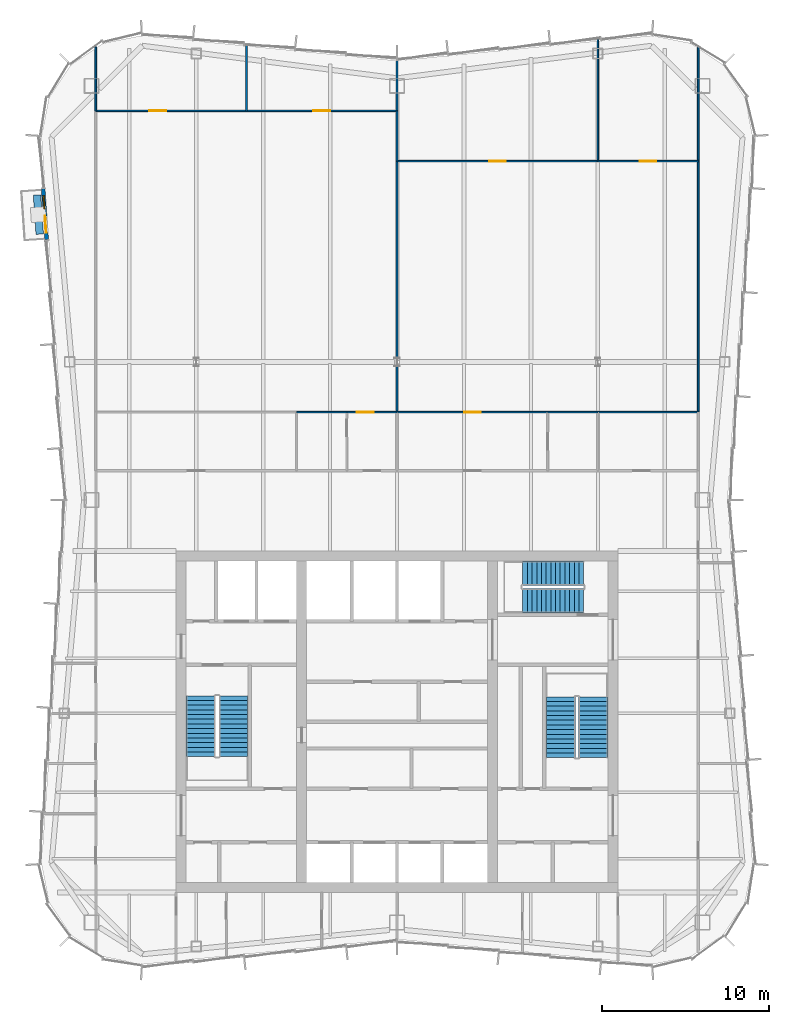
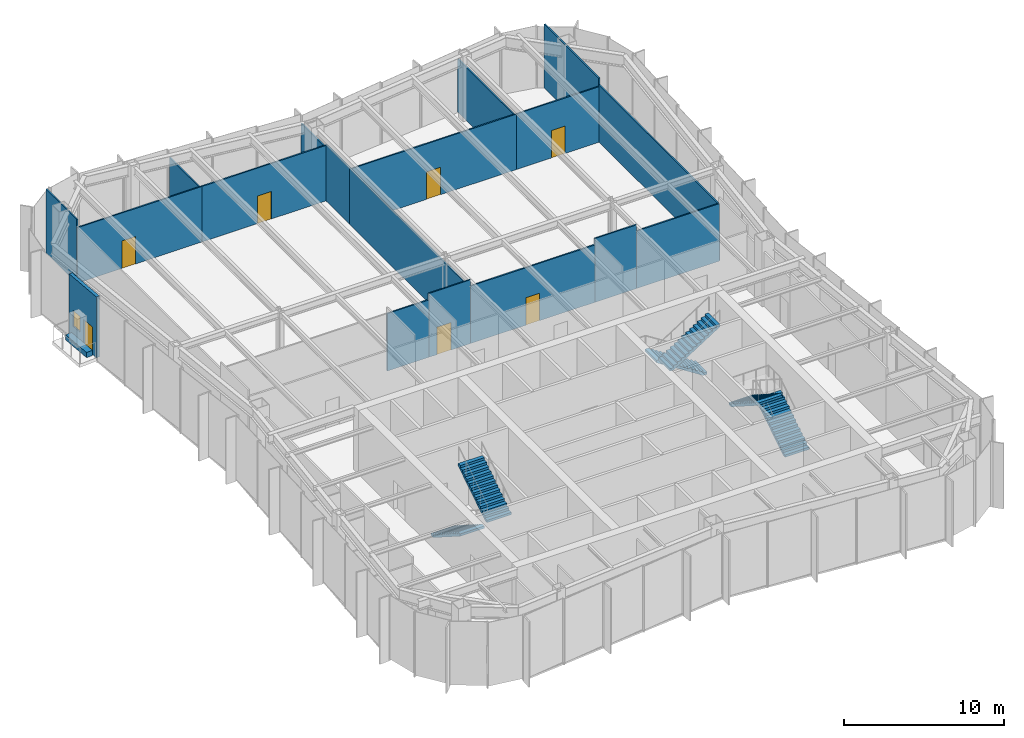
# One storey, part 12 of 14: 19 walls, 7 doors, 6 stair flights, 1 window, 8 openings, 3 elements without a shape of their own.
"""IFC4 building model written with IfcOpenShell, lengths in metres."""

from ifc_helpers import new_model, si_unit, direction, frame, frame_2d, origin, place, context, subcontext, project, spatial, polyline, rectangle, outline, extrude, material, layer, layer_set, type_object, element, fill, aggregate, save


model = new_model("IFC4")

# Units and contexts
model_context = context("Model", 3, precision=1e-05, world=origin(), true_north=direction((0.0, 1.0)))
body_context = subcontext(model_context, "Body", "Model", "MODEL_VIEW")
ifc_project = project(units=[si_unit("LENGTHUNIT", "METRE"), si_unit("AREAUNIT", "SQUARE_METRE"), si_unit("VOLUMEUNIT", "CUBIC_METRE"), si_unit("PLANEANGLEUNIT", "RADIAN"), si_unit("MASSUNIT", "GRAM", prefix="KILO")], contexts=[model_context])

# Site, building, storey
site_placement = place(None, origin())
site = spatial("IfcSite", under=ifc_project, at=site_placement, CompositionType="ELEMENT")
building_placement = place(site_placement, origin())
building = spatial("IfcBuilding", under=site, at=building_placement, Name="Verdant Reach Tower", CompositionType="ELEMENT")
storey_placement = place(building_placement, frame((0.0, 0.0, 289.0)))
storey = spatial("IfcBuildingStorey", under=building, at=storey_placement, Name="L66", CompositionType="ELEMENT", Elevation=289.0)

# Wall, openings, door, window
ifc_material_1 = material(Name="Insulated bronze aluminium panel wall", Category="aluminium")
ifc_layer_1 = layer(ifc_material_1, 0.219970703125)
ifc_layer_set_1 = layer_set([ifc_layer_1], Name="EN-INFILL WALL")
wall_type_1 = type_object("IfcWallType", Name="EN-INFILL WALL", PredefinedType="SOLIDWALL", material=ifc_layer_set_1)
wall_1_placement = place(storey_placement, frame((-21.14794921875, 59.85009765625, 0.0), z_axis=(0.0, 0.0, 1.0), x_axis=(0.068802091615, -0.997630328423, 0.0)))
wall_1 = element("IfcWall", 1, at=wall_1_placement, inside=storey, type_object=wall_type_1, Name="External infill wall, balcony bay 1, L66", PredefinedType="SOLIDWALL", context=body_context, shape_type="SweptSolid", body=[
    extrude(rectangle(XDim=3.044677734375, YDim=0.22998046875, at=frame_2d((1.5224609375, 0.0))), origin(), (0.0, 0.0, 1.0), 4.64990234375),
])
opening_1_placement = place(wall_1_placement, frame((1.629638671875, 0.0, 0.0)))
opening_1 = element("IfcOpeningElement", 2, at=opening_1_placement, cuts=wall_1, Name="Opening BD1", PredefinedType="OPENING", context=body_context, shape_type="SweptSolid", body=[
    extrude(rectangle(XDim=1.0, YDim=2.10009765625, at=frame_2d((0.5, 1.050048828125))), frame((0.0, 0.125, 0.0), z_axis=(0.0, -1.0, 0.0), x_axis=(1.0, 0.0, 0.0)), (0.0, 0.0, 1.0), 0.25),
])
opening_2_placement = place(wall_1_placement, frame((0.414794921875, 0.0, 0.89990234375)))
opening_2 = element("IfcOpeningElement", 3, at=opening_2_placement, cuts=wall_1, Name="Opening BW1", PredefinedType="OPENING", context=body_context, shape_type="SweptSolid", body=[
    extrude(rectangle(XDim=0.800048828125, YDim=1.199951171875, at=frame_2d((0.39990234375, 0.60009765625))), frame((0.0, 0.125, 0.0), z_axis=(0.0, -1.0, 0.0), x_axis=(1.0, 0.0, 0.0)), (0.0, 0.0, 1.0), 0.25),
])
ifc_material_2 = material(Name="Aluminium framed glazed door", Category="aluminium")
door_type_1 = type_object("IfcDoorType", Name="EN-DOOR BALCONY", OperationType="NOTDEFINED", PredefinedType="DOOR", material=ifc_material_2)
door_1_placement = place(opening_1_placement, origin())
door_1 = element("IfcDoor", 4, at=door_1_placement, inside=storey, type_object=door_type_1, Name="Balcony door 1, L66", OperationType="SINGLE_SWING_RIGHT", OverallHeight=2.10009765625, OverallWidth=1.0, PredefinedType="DOOR", context=body_context, shape_type="SweptSolid", body=[
    extrude(rectangle(XDim=1.0, YDim=2.10009765625, at=frame_2d((0.5, 1.050048828125))), frame((0.0, 0.02490234375, 0.0), z_axis=(0.0, -1.0, 0.0), x_axis=(1.0, 0.0, 0.0)), (0.0, 0.0, 1.0), 0.050048828125),
])
fill(opening_1, door_1)
ifc_material_3 = material(Name="Aluminium framed glazing", Category="aluminium")
window_type = type_object("IfcWindowType", Name="EN-WINDOW BALCONY", PartitioningType="SINGLE_PANEL", PredefinedType="WINDOW", material=ifc_material_3)
window_placement = place(opening_2_placement, origin())
window = element("IfcWindow", 5, at=window_placement, inside=storey, type_object=window_type, Name="Balcony window 1, L66", OverallHeight=1.199951171875, OverallWidth=0.800048828125, PartitioningType="SINGLE_PANEL", PredefinedType="WINDOW", context=body_context, shape_type="SweptSolid", body=[
    extrude(rectangle(XDim=0.800048828125, YDim=1.199951171875, at=frame_2d((0.39990234375, 0.60009765625))), frame((0.0, 0.030029296875, 0.0), z_axis=(0.0, -1.0, 0.0), x_axis=(1.0, 0.0, 0.0)), (0.0, 0.0, 1.0), 0.06005859375),
])
fill(opening_2, window)

# Walls
ifc_material_4 = material(Name="Precast concrete C30/37", Category="concrete")
ifc_layer_2 = layer(ifc_material_4, 0.449951171875)
ifc_layer_set_2 = layer_set([ifc_layer_2], Name="EN-PLANTER")
wall_type_2 = type_object("IfcWallType", Name="EN-PLANTER", PredefinedType="USERDEFINED", material=ifc_layer_set_2)
wall_2_placement = place(storey_placement, frame((-21.512939453125, 59.47412109375, 0.0), z_axis=(0.0, 0.0, 1.0), x_axis=(0.068723472833, -0.997635747295, 0.0)))
element("IfcWall", 6, at=wall_2_placement, inside=storey, type_object=wall_type_2, Name="Balcony planter 1, L66", ObjectType="PLANTER", PredefinedType="USERDEFINED", context=body_context, shape_type="SweptSolid", body=[
    extrude(rectangle(XDim=2.3447265625, YDim=0.449951171875, at=frame_2d((1.17236328125, 0.0))), origin(), (0.0, 0.0, 1.0), 0.39990234375),
])
ifc_material_5 = material(Name="Gypsum board on steel studs", Category="steel")
ifc_layer_3 = layer(ifc_material_5, 0.10009765625)
ifc_layer_set_3 = layer_set([ifc_layer_3], Name="FL-W1 Partition 100")
wall_type_3 = type_object("IfcWallType", Name="FL-W1 Partition 100", PredefinedType="PARTITIONING", material=ifc_layer_set_3)
wall_3_placement = place(storey_placement, frame((-18.0, 64.5, 0.0), z_axis=(0.0, 0.0, 1.0), x_axis=(0.0, 1.0, 0.0)))
element("IfcWall", 7, at=wall_3_placement, inside=storey, type_object=wall_type_3, Name="Partition 66.23", PredefinedType="PARTITIONING", context=body_context, shape_type="SweptSolid", body=[
    extrude(rectangle(XDim=3.820068359375, YDim=0.10009765625, at=frame_2d((1.91015625, 0.0))), origin(), (0.0, 0.0, 1.0), 4.8701171875),
])
wall_4_placement = place(storey_placement, frame((18.0, 61.5, 0.0), z_axis=(0.0, 0.0, 1.0), x_axis=(0.0, -1.0, 0.0)))
element("IfcWall", 8, at=wall_4_placement, inside=storey, type_object=wall_type_3, Name="Partition 66.27", PredefinedType="PARTITIONING", context=body_context, shape_type="SweptSolid", body=[
    extrude(rectangle(XDim=15.0, YDim=0.10009765625, at=frame_2d((7.5, 0.0))), origin(), (0.0, 0.0, 1.0), 4.35009765625),
])
wall_5_placement = place(storey_placement, frame((18.0, 68.320068359375, 0.0), z_axis=(0.0, 0.0, 1.0), x_axis=(0.0, -1.0, 0.0)))
element("IfcWall", 9, at=wall_5_placement, inside=storey, type_object=wall_type_3, Name="Partition 66.28", PredefinedType="PARTITIONING", context=body_context, shape_type="SweptSolid", body=[
    extrude(rectangle(XDim=6.820068359375, YDim=0.10009765625, at=frame_2d((3.41015625, 0.0))), origin(), (0.0, 0.0, 1.0), 4.8701171875),
])
wall_6_placement = place(storey_placement, frame((-2.99609375, 46.5, 0.0), z_axis=(0.0, 0.0, 1.0), x_axis=(-1.0, 0.0, 0.0)))
element("IfcWall", 10, at=wall_6_placement, inside=storey, type_object=wall_type_3, Name="Partition 66.36", PredefinedType="PARTITIONING", context=body_context, shape_type="SweptSolid", body=[
    extrude(rectangle(XDim=3.0078125, YDim=0.10009765625, at=frame_2d((1.50390625, 0.0))), origin(), (0.0, 0.0, 1.0), 4.389892578125),
])

# Wall, opening, door
wall_7_placement = place(storey_placement, frame((-3.00390625, 46.5, 0.0), z_axis=(0.0, 0.0, 1.0), x_axis=(1.0, 0.0, 0.0)))
wall_7 = element("IfcWall", 11, at=wall_7_placement, inside=storey, type_object=wall_type_3, Name="Partition 66.37", PredefinedType="PARTITIONING", context=body_context, shape_type="SweptSolid", body=[
    extrude(rectangle(XDim=3.00390625, YDim=0.10009765625, at=frame_2d((1.501953125, 0.0))), origin(), (0.0, 0.0, 1.0), 4.8701171875),
])
opening_3_placement = place(wall_7_placement, frame((0.60205078125, 0.0, 0.0)))
opening_3 = element("IfcOpeningElement", 12, at=opening_3_placement, cuts=wall_7, Name="Opening D3", PredefinedType="OPENING", context=body_context, shape_type="SweptSolid", body=[
    extrude(rectangle(XDim=1.0, YDim=2.10009765625, at=frame_2d((0.5, 1.050048828125))), frame((0.0, 0.06005859375, 0.0), z_axis=(0.0, -1.0, 0.0), x_axis=(1.0, 0.0, 0.0)), (0.0, 0.0, 1.0), 0.1201171875),
])
ifc_material_6 = material(Name="Painted timber door leaf", Category="wood")
door_type_2 = type_object("IfcDoorType", Name="FL-D3 Door 1000x2100", OperationType="NOTDEFINED", PredefinedType="DOOR", material=ifc_material_6)
door_2_placement = place(opening_3_placement, origin())
door_2 = element("IfcDoor", 13, at=door_2_placement, inside=storey, type_object=door_type_2, Name="Door 66-019", OperationType="SINGLE_SWING_LEFT", OverallHeight=2.10009765625, OverallWidth=1.0, PredefinedType="DOOR", context=body_context, shape_type="SweptSolid", body=[
    extrude(rectangle(XDim=1.0, YDim=2.10009765625, at=frame_2d((0.5, 1.050048828125))), frame((0.0, 0.02490234375, 0.0), z_axis=(0.0, -1.0, 0.0), x_axis=(1.0, 0.0, 0.0)), (0.0, 0.0, 1.0), 0.050048828125),
])
fill(opening_3, door_2)

wall_8_placement = place(storey_placement, frame((-18.0, 64.5, 0.0), z_axis=(0.0, 0.0, 1.0), x_axis=(1.0, 0.0, 0.0)))
wall_8 = element("IfcWall", 14, at=wall_8_placement, inside=storey, type_object=wall_type_3, Name="Partition 66.39", PredefinedType="PARTITIONING", context=body_context, shape_type="SweptSolid", body=[
    extrude(rectangle(XDim=9.0, YDim=0.10009765625, at=frame_2d((4.5, 0.0))), origin(), (0.0, 0.0, 1.0), 4.239990234375),
])
opening_4_placement = place(wall_8_placement, frame((3.199951171875, 0.0, 0.0)))
opening_4 = element("IfcOpeningElement", 15, at=opening_4_placement, cuts=wall_8, Name="Opening D3", PredefinedType="OPENING", context=body_context, shape_type="SweptSolid", body=[
    extrude(rectangle(XDim=1.0, YDim=2.10009765625, at=frame_2d((0.5, 1.050048828125))), frame((0.0, 0.06005859375, 0.0), z_axis=(0.0, -1.0, 0.0), x_axis=(1.0, 0.0, 0.0)), (0.0, 0.0, 1.0), 0.1201171875),
])
door_3_placement = place(opening_4_placement, origin())
door_3 = element("IfcDoor", 16, at=door_3_placement, inside=storey, type_object=door_type_2, Name="Door 66-020", OperationType="SINGLE_SWING_LEFT", OverallHeight=2.10009765625, OverallWidth=1.0, PredefinedType="DOOR", context=body_context, shape_type="SweptSolid", body=[
    extrude(rectangle(XDim=1.0, YDim=2.10009765625, at=frame_2d((0.5, 1.050048828125))), frame((0.0, 0.02490234375, 0.0), z_axis=(0.0, -1.0, 0.0), x_axis=(1.0, 0.0, 0.0)), (0.0, 0.0, 1.0), 0.050048828125),
])
fill(opening_4, door_3)

wall_9_placement = place(storey_placement, frame((-9.0, 64.5, 0.0), z_axis=(0.0, 0.0, 1.0), x_axis=(1.0, 0.0, 0.0)))
wall_9 = element("IfcWall", 17, at=wall_9_placement, inside=storey, type_object=wall_type_3, Name="Partition 66.40", PredefinedType="PARTITIONING", context=body_context, shape_type="SweptSolid", body=[
    extrude(rectangle(XDim=9.0, YDim=0.10009765625, at=frame_2d((4.5, 0.0))), origin(), (0.0, 0.0, 1.0), 4.239990234375),
])
opening_5_placement = place(wall_9_placement, frame((4.0, 0.0, 0.0)))
opening_5 = element("IfcOpeningElement", 18, at=opening_5_placement, cuts=wall_9, Name="Opening D3", PredefinedType="OPENING", context=body_context, shape_type="SweptSolid", body=[
    extrude(rectangle(XDim=1.0, YDim=2.10009765625, at=frame_2d((0.5, 1.050048828125))), frame((0.0, 0.06005859375, 0.0), z_axis=(0.0, -1.0, 0.0), x_axis=(1.0, 0.0, 0.0)), (0.0, 0.0, 1.0), 0.1201171875),
])
door_4_placement = place(opening_5_placement, origin())
door_4 = element("IfcDoor", 19, at=door_4_placement, inside=storey, type_object=door_type_2, Name="Door 66-021", OperationType="SINGLE_SWING_LEFT", OverallHeight=2.10009765625, OverallWidth=1.0, PredefinedType="DOOR", context=body_context, shape_type="SweptSolid", body=[
    extrude(rectangle(XDim=1.0, YDim=2.10009765625, at=frame_2d((0.5, 1.050048828125))), frame((0.0, 0.02490234375, 0.0), z_axis=(0.0, -1.0, 0.0), x_axis=(1.0, 0.0, 0.0)), (0.0, 0.0, 1.0), 0.050048828125),
])
fill(opening_5, door_4)

# Walls
wall_10_placement = place(storey_placement, frame((0.0, 46.5, 0.0), z_axis=(0.0, 0.0, 1.0), x_axis=(0.0, 1.0, 0.0)))
element("IfcWall", 20, at=wall_10_placement, inside=storey, type_object=wall_type_3, Name="Partition 66.41", PredefinedType="PARTITIONING", context=body_context, shape_type="SweptSolid", body=[
    extrude(rectangle(XDim=15.0, YDim=0.10009765625, at=frame_2d((7.5, 0.0))), origin(), (0.0, 0.0, 1.0), 4.2900390625),
])
wall_11_placement = place(storey_placement, frame((0.0, 61.5, 0.0), z_axis=(0.0, 0.0, 1.0), x_axis=(0.0, 1.0, 0.0)))
element("IfcWall", 21, at=wall_11_placement, inside=storey, type_object=wall_type_3, Name="Partition 66.42", PredefinedType="PARTITIONING", context=body_context, shape_type="SweptSolid", body=[
    extrude(rectangle(XDim=3.00390625, YDim=0.10009765625, at=frame_2d((1.501953125, 0.0))), origin(), (0.0, 0.0, 1.0), 4.2900390625),
])
wall_12_placement = place(storey_placement, frame((-9.0, 64.5, 0.0), z_axis=(0.0, 0.0, 1.0), x_axis=(0.0, 1.0, 0.0)))
element("IfcWall", 22, at=wall_12_placement, inside=storey, type_object=wall_type_3, Name="Partition 66.43", PredefinedType="PARTITIONING", context=body_context, shape_type="SweptSolid", body=[
    extrude(rectangle(XDim=3.965087890625, YDim=0.10009765625, at=frame_2d((1.982421875, 0.0))), origin(), (0.0, 0.0, 1.0), 4.0400390625),
])
wall_13_placement = place(storey_placement, frame((0.0, 64.49609375, 0.0), z_axis=(0.0, 0.0, 1.0), x_axis=(0.0, 1.0, 0.0)))
element("IfcWall", 23, at=wall_13_placement, inside=storey, type_object=wall_type_3, Name="Partition 66.44", PredefinedType="PARTITIONING", context=body_context, shape_type="SweptSolid", body=[
    extrude(rectangle(XDim=3.083984375, YDim=0.10009765625, at=frame_2d((1.5419921875, 0.0))), origin(), (0.0, 0.0, 1.0), 4.0400390625),
])

# Wall, opening, door
wall_14_placement = place(storey_placement, frame((0.0, 46.5, 0.0), z_axis=(0.0, 0.0, 1.0), x_axis=(1.0, 0.0, 0.0)))
wall_14 = element("IfcWall", 24, at=wall_14_placement, inside=storey, type_object=wall_type_3, Name="Partition 66.46", PredefinedType="PARTITIONING", context=body_context, shape_type="SweptSolid", body=[
    extrude(rectangle(XDim=9.00390625, YDim=0.10009765625, at=frame_2d((4.501953125, 0.0))), origin(), (0.0, 0.0, 1.0), 4.389892578125),
])
opening_6_placement = place(wall_14_placement, frame((4.001953125, 0.0, 0.0)))
opening_6 = element("IfcOpeningElement", 25, at=opening_6_placement, cuts=wall_14, Name="Opening D3", PredefinedType="OPENING", context=body_context, shape_type="SweptSolid", body=[
    extrude(rectangle(XDim=1.0, YDim=2.10009765625, at=frame_2d((0.5, 1.050048828125))), frame((0.0, 0.06005859375, 0.0), z_axis=(0.0, -1.0, 0.0), x_axis=(1.0, 0.0, 0.0)), (0.0, 0.0, 1.0), 0.1201171875),
])
door_5_placement = place(opening_6_placement, origin())
door_5 = element("IfcDoor", 26, at=door_5_placement, inside=storey, type_object=door_type_2, Name="Door 66-023", OperationType="SINGLE_SWING_LEFT", OverallHeight=2.10009765625, OverallWidth=1.0, PredefinedType="DOOR", context=body_context, shape_type="SweptSolid", body=[
    extrude(rectangle(XDim=1.0, YDim=2.10009765625, at=frame_2d((0.5, 1.050048828125))), frame((0.0, 0.02490234375, 0.0), z_axis=(0.0, -1.0, 0.0), x_axis=(1.0, 0.0, 0.0)), (0.0, 0.0, 1.0), 0.050048828125),
])
fill(opening_6, door_5)

# Walls
wall_15_placement = place(storey_placement, frame((12.00390625, 46.5, 0.0), z_axis=(0.0, 0.0, 1.0), x_axis=(-1.0, 0.0, 0.0)))
element("IfcWall", 27, at=wall_15_placement, inside=storey, type_object=wall_type_3, Name="Partition 66.48", PredefinedType="PARTITIONING", context=body_context, shape_type="SweptSolid", body=[
    extrude(rectangle(XDim=3.0078125, YDim=0.10009765625, at=frame_2d((1.50390625, 0.0))), origin(), (0.0, 0.0, 1.0), 4.8701171875),
])
wall_16_placement = place(storey_placement, frame((18.0, 46.5, 0.0), z_axis=(0.0, 0.0, 1.0), x_axis=(-1.0, 0.0, 0.0)))
element("IfcWall", 28, at=wall_16_placement, inside=storey, type_object=wall_type_3, Name="Partition 66.49", PredefinedType="PARTITIONING", context=body_context, shape_type="SweptSolid", body=[
    extrude(rectangle(XDim=6.00390625, YDim=0.10009765625, at=frame_2d((3.001953125, 0.0))), origin(), (0.0, 0.0, 1.0), 4.389892578125),
])

# Wall, opening, door
wall_17_placement = place(storey_placement, frame((0.0, 61.5, 0.0), z_axis=(0.0, 0.0, 1.0), x_axis=(1.0, 0.0, 0.0)))
wall_17 = element("IfcWall", 29, at=wall_17_placement, inside=storey, type_object=wall_type_3, Name="Partition 66.50", PredefinedType="PARTITIONING", context=body_context, shape_type="SweptSolid", body=[
    extrude(rectangle(XDim=12.0, YDim=0.10009765625, at=frame_2d((6.0, 0.0))), origin(), (0.0, 0.0, 1.0), 4.239990234375),
])
opening_7_placement = place(wall_17_placement, frame((5.5, 0.0, 0.0)))
opening_7 = element("IfcOpeningElement", 30, at=opening_7_placement, cuts=wall_17, Name="Opening D3", PredefinedType="OPENING", context=body_context, shape_type="SweptSolid", body=[
    extrude(rectangle(XDim=1.0, YDim=2.10009765625, at=frame_2d((0.5, 1.050048828125))), frame((0.0, 0.06005859375, 0.0), z_axis=(0.0, -1.0, 0.0), x_axis=(1.0, 0.0, 0.0)), (0.0, 0.0, 1.0), 0.1201171875),
])
door_6_placement = place(opening_7_placement, origin())
door_6 = element("IfcDoor", 31, at=door_6_placement, inside=storey, type_object=door_type_2, Name="Door 66-024", OperationType="SINGLE_SWING_RIGHT", OverallHeight=2.10009765625, OverallWidth=1.0, PredefinedType="DOOR", context=body_context, shape_type="SweptSolid", body=[
    extrude(rectangle(XDim=1.0, YDim=2.10009765625, at=frame_2d((0.5, 1.050048828125))), frame((0.0, 0.02490234375, 0.0), z_axis=(0.0, -1.0, 0.0), x_axis=(1.0, 0.0, 0.0)), (0.0, 0.0, 1.0), 0.050048828125),
])
fill(opening_7, door_6)

wall_18_placement = place(storey_placement, frame((12.0, 61.5, 0.0), z_axis=(0.0, 0.0, 1.0), x_axis=(1.0, 0.0, 0.0)))
wall_18 = element("IfcWall", 32, at=wall_18_placement, inside=storey, type_object=wall_type_3, Name="Partition 66.51", PredefinedType="PARTITIONING", context=body_context, shape_type="SweptSolid", body=[
    extrude(rectangle(XDim=6.0, YDim=0.10009765625, at=frame_2d((3.0, 0.0))), origin(), (0.0, 0.0, 1.0), 4.239990234375),
])
opening_8_placement = place(wall_18_placement, frame((2.5, 0.0, 0.0)))
opening_8 = element("IfcOpeningElement", 33, at=opening_8_placement, cuts=wall_18, Name="Opening D3", PredefinedType="OPENING", context=body_context, shape_type="SweptSolid", body=[
    extrude(rectangle(XDim=1.0, YDim=2.10009765625, at=frame_2d((0.5, 1.050048828125))), frame((0.0, 0.06005859375, 0.0), z_axis=(0.0, -1.0, 0.0), x_axis=(1.0, 0.0, 0.0)), (0.0, 0.0, 1.0), 0.1201171875),
])
door_7_placement = place(opening_8_placement, origin())
door_7 = element("IfcDoor", 34, at=door_7_placement, inside=storey, type_object=door_type_2, Name="Door 66-025", OperationType="SINGLE_SWING_LEFT", OverallHeight=2.10009765625, OverallWidth=1.0, PredefinedType="DOOR", context=body_context, shape_type="SweptSolid", body=[
    extrude(rectangle(XDim=1.0, YDim=2.10009765625, at=frame_2d((0.5, 1.050048828125))), frame((0.0, 0.02490234375, 0.0), z_axis=(0.0, -1.0, 0.0), x_axis=(1.0, 0.0, 0.0)), (0.0, 0.0, 1.0), 0.050048828125),
])
fill(opening_8, door_7)

# Wall
wall_19_placement = place(storey_placement, frame((12.0, 61.5, 0.0), z_axis=(0.0, 0.0, 1.0), x_axis=(0.0, 1.0, 0.0)))
element("IfcWall", 35, at=wall_19_placement, inside=storey, type_object=wall_type_3, Name="Partition 66.52", PredefinedType="PARTITIONING", context=body_context, shape_type="SweptSolid", body=[
    extrude(rectangle(XDim=7.26025390625, YDim=0.10009765625, at=frame_2d((3.630126953125, 0.0))), origin(), (0.0, 0.0, 1.0), 4.0400390625),
])

# Stair, stair flights
ifc_material_7 = material(Name="Concrete C40/50", Category="concrete")
stair_type = type_object("IfcStairType", Name="CO-STAIR", PredefinedType="HALF_TURN_STAIR", material=ifc_material_7)
stair_1_placement = place(storey_placement, origin())
stair_1 = element("IfcStair", 36, at=stair_1_placement, inside=storey, type_object=stair_type, Name="L66 Exit stair 1", PredefinedType="HALF_TURN_STAIR")
stair_flight_type = type_object("IfcStairFlightType", Name="CO-STAIR-FLIGHT", PredefinedType="STRAIGHT", material=ifc_material_7)
stair_flight_1_placement = place(storey_placement, frame((-11.72509765625, 29.550048828125, 0.0), z_axis=(0.0, 0.0, 1.0), x_axis=(0.0, -1.0, 0.0)))
stair_flight_1 = element("IfcStairFlight", 37, at=stair_flight_1_placement, type_object=stair_flight_type, Name="ST-1 flight 1", NumberOfRisers=14, NumberOfTreads=13, PredefinedType="STRAIGHT", RiserHeight=0.178571429, TreadLength=0.28, context=body_context, shape_type="SweptSolid", body=[
    extrude(outline(polyline([(0.0, 0.0), (0.0, 0.178466796875), (0.280029296875, 0.178466796875), (0.280029296875, 0.357177734375), (0.56005859375, 0.357177734375), (0.56005859375, 0.53564453125), (0.840087890625, 0.53564453125), (0.840087890625, 0.71435546875), (1.1201171875, 0.71435546875), (1.1201171875, 0.892822265625), (1.39990234375, 0.892822265625), (1.39990234375, 1.071533203125), (1.679931640625, 1.071533203125), (1.679931640625, 1.25), (1.9599609375, 1.25), (1.9599609375, 1.428466796875), (2.239990234375, 1.428466796875), (2.239990234375, 1.607177734375), (2.52001953125, 1.607177734375), (2.52001953125, 1.78564453125), (2.800048828125, 1.78564453125), (2.800048828125, 1.96435546875), (3.080078125, 1.96435546875), (3.080078125, 2.142822265625), (3.360107421875, 2.142822265625), (3.360107421875, 2.321533203125), (3.639892578125, 2.321533203125), (3.639892578125, 2.5), (3.639892578125, 2.1435546875), (0.27880859375, 0.0), (0.0, 0.0)])), frame((0.0, 0.875, 0.0), z_axis=(0.0, -1.0, 0.0), x_axis=(1.0, 0.0, 0.0)), (0.0, 0.0, 1.0), 1.75),
])
stair_flight_2_placement = place(storey_placement, frame((-9.77490234375, 25.909912109375, 2.5), z_axis=(0.0, 0.0, 1.0), x_axis=(0.0, 1.0, 0.0)))
stair_flight_2 = element("IfcStairFlight", 38, at=stair_flight_2_placement, type_object=stair_flight_type, Name="ST-1 flight 2", NumberOfRisers=14, NumberOfTreads=13, PredefinedType="STRAIGHT", RiserHeight=0.178571429, TreadLength=0.28, context=body_context, shape_type="SweptSolid", body=[
    extrude(outline(polyline([(0.0, 0.0), (0.0, 0.178466796875), (0.280029296875, 0.178466796875), (0.280029296875, 0.357177734375), (0.56005859375, 0.357177734375), (0.56005859375, 0.53564453125), (0.840087890625, 0.53564453125), (0.840087890625, 0.71435546875), (1.1201171875, 0.71435546875), (1.1201171875, 0.892822265625), (1.39990234375, 0.892822265625), (1.39990234375, 1.071533203125), (1.679931640625, 1.071533203125), (1.679931640625, 1.25), (1.9599609375, 1.25), (1.9599609375, 1.428466796875), (2.239990234375, 1.428466796875), (2.239990234375, 1.607177734375), (2.52001953125, 1.607177734375), (2.52001953125, 1.78564453125), (2.800048828125, 1.78564453125), (2.800048828125, 1.96435546875), (3.080078125, 1.96435546875), (3.080078125, 2.142822265625), (3.360107421875, 2.142822265625), (3.360107421875, 2.321533203125), (3.639892578125, 2.321533203125), (3.639892578125, 2.5), (3.639892578125, 2.1435546875), (0.27880859375, 0.0), (0.0, 0.0)])), frame((0.0, 0.875, 0.0), z_axis=(0.0, -1.0, 0.0), x_axis=(1.0, 0.0, 0.0)), (0.0, 0.0, 1.0), 1.75),
])
aggregate(stair_1, [stair_flight_1, stair_flight_2])

stair_2_placement = place(storey_placement, origin())
stair_2 = element("IfcStair", 39, at=stair_2_placement, inside=storey, type_object=stair_type, Name="L66 Exit stair 2", PredefinedType="HALF_TURN_STAIR")
stair_flight_3_placement = place(storey_placement, frame((11.72509765625, 25.85009765625, 0.0), z_axis=(0.0, 0.0, 1.0), x_axis=(0.0, 1.0, 0.0)))
stair_flight_3 = element("IfcStairFlight", 40, at=stair_flight_3_placement, type_object=stair_flight_type, Name="ST-2 flight 1", NumberOfRisers=14, NumberOfTreads=13, PredefinedType="STRAIGHT", RiserHeight=0.178571429, TreadLength=0.28, context=body_context, shape_type="SweptSolid", body=[
    extrude(outline(polyline([(0.0, 0.0), (0.0, 0.178466796875), (0.280029296875, 0.178466796875), (0.280029296875, 0.357177734375), (0.56005859375, 0.357177734375), (0.56005859375, 0.53564453125), (0.840087890625, 0.53564453125), (0.840087890625, 0.71435546875), (1.1201171875, 0.71435546875), (1.1201171875, 0.892822265625), (1.39990234375, 0.892822265625), (1.39990234375, 1.071533203125), (1.679931640625, 1.071533203125), (1.679931640625, 1.25), (1.9599609375, 1.25), (1.9599609375, 1.428466796875), (2.239990234375, 1.428466796875), (2.239990234375, 1.607177734375), (2.52001953125, 1.607177734375), (2.52001953125, 1.78564453125), (2.800048828125, 1.78564453125), (2.800048828125, 1.96435546875), (3.080078125, 1.96435546875), (3.080078125, 2.142822265625), (3.360107421875, 2.142822265625), (3.360107421875, 2.321533203125), (3.639892578125, 2.321533203125), (3.639892578125, 2.5), (3.639892578125, 2.1435546875), (0.27880859375, 0.0), (0.0, 0.0)])), frame((0.0, 0.875, 0.0), z_axis=(0.0, -1.0, 0.0), x_axis=(1.0, 0.0, 0.0)), (0.0, 0.0, 1.0), 1.75),
])
stair_flight_4_placement = place(storey_placement, frame((9.77490234375, 29.489990234375, 2.5), z_axis=(0.0, 0.0, 1.0), x_axis=(0.0, -1.0, 0.0)))
stair_flight_4 = element("IfcStairFlight", 41, at=stair_flight_4_placement, type_object=stair_flight_type, Name="ST-2 flight 2", NumberOfRisers=14, NumberOfTreads=13, PredefinedType="STRAIGHT", RiserHeight=0.178571429, TreadLength=0.28, context=body_context, shape_type="SweptSolid", body=[
    extrude(outline(polyline([(0.0, 0.0), (0.0, 0.178466796875), (0.280029296875, 0.178466796875), (0.280029296875, 0.357177734375), (0.56005859375, 0.357177734375), (0.56005859375, 0.53564453125), (0.840087890625, 0.53564453125), (0.840087890625, 0.71435546875), (1.1201171875, 0.71435546875), (1.1201171875, 0.892822265625), (1.39990234375, 0.892822265625), (1.39990234375, 1.071533203125), (1.679931640625, 1.071533203125), (1.679931640625, 1.25), (1.9599609375, 1.25), (1.9599609375, 1.428466796875), (2.239990234375, 1.428466796875), (2.239990234375, 1.607177734375), (2.52001953125, 1.607177734375), (2.52001953125, 1.78564453125), (2.800048828125, 1.78564453125), (2.800048828125, 1.96435546875), (3.080078125, 1.96435546875), (3.080078125, 2.142822265625), (3.360107421875, 2.142822265625), (3.360107421875, 2.321533203125), (3.639892578125, 2.321533203125), (3.639892578125, 2.5), (3.639892578125, 2.1435546875), (0.27880859375, 0.0), (0.0, 0.0)])), frame((0.0, 0.875, 0.0), z_axis=(0.0, -1.0, 0.0), x_axis=(1.0, 0.0, 0.0)), (0.0, 0.0, 1.0), 1.75),
])
aggregate(stair_2, [stair_flight_3, stair_flight_4])

stair_3_placement = place(storey_placement, origin())
stair_3 = element("IfcStair", 42, at=stair_3_placement, inside=storey, type_object=stair_type, Name="L66 Exit stair 3", PredefinedType="HALF_TURN_STAIR")
stair_flight_5_placement = place(storey_placement, frame((11.14990234375, 36.875, 0.0), z_axis=(0.0, 0.0, 1.0), x_axis=(-1.0, 0.0, 0.0)))
stair_flight_5 = element("IfcStairFlight", 43, at=stair_flight_5_placement, type_object=stair_flight_type, Name="ST-3 flight 1", NumberOfRisers=14, NumberOfTreads=13, PredefinedType="STRAIGHT", RiserHeight=0.178571429, TreadLength=0.28, context=body_context, shape_type="SweptSolid", body=[
    extrude(outline(polyline([(0.0, 0.0), (0.0, 0.178466796875), (0.280029296875, 0.178466796875), (0.280029296875, 0.357177734375), (0.56005859375, 0.357177734375), (0.56005859375, 0.53564453125), (0.840087890625, 0.53564453125), (0.840087890625, 0.71435546875), (1.1201171875, 0.71435546875), (1.1201171875, 0.892822265625), (1.39990234375, 0.892822265625), (1.39990234375, 1.071533203125), (1.679931640625, 1.071533203125), (1.679931640625, 1.25), (1.9599609375, 1.25), (1.9599609375, 1.428466796875), (2.239990234375, 1.428466796875), (2.239990234375, 1.607177734375), (2.52001953125, 1.607177734375), (2.52001953125, 1.78564453125), (2.800048828125, 1.78564453125), (2.800048828125, 1.96435546875), (3.080078125, 1.96435546875), (3.080078125, 2.142822265625), (3.360107421875, 2.142822265625), (3.360107421875, 2.321533203125), (3.639892578125, 2.321533203125), (3.639892578125, 2.5), (3.639892578125, 2.1435546875), (0.27880859375, 0.0), (0.0, 0.0)])), frame((0.0, 0.72509765625, 0.0), z_axis=(0.0, -1.0, 0.0), x_axis=(1.0, 0.0, 0.0)), (0.0, 0.0, 1.0), 1.449951171875),
])
stair_flight_6_placement = place(storey_placement, frame((7.510009765625, 35.22509765625, 2.5), z_axis=(0.0, 0.0, 1.0), x_axis=(1.0, 0.0, 0.0)))
stair_flight_6 = element("IfcStairFlight", 44, at=stair_flight_6_placement, type_object=stair_flight_type, Name="ST-3 flight 2", NumberOfRisers=14, NumberOfTreads=13, PredefinedType="STRAIGHT", RiserHeight=0.178571429, TreadLength=0.28, context=body_context, shape_type="SweptSolid", body=[
    extrude(outline(polyline([(0.0, 0.0), (0.0, 0.178466796875), (0.280029296875, 0.178466796875), (0.280029296875, 0.357177734375), (0.56005859375, 0.357177734375), (0.56005859375, 0.53564453125), (0.840087890625, 0.53564453125), (0.840087890625, 0.71435546875), (1.1201171875, 0.71435546875), (1.1201171875, 0.892822265625), (1.39990234375, 0.892822265625), (1.39990234375, 1.071533203125), (1.679931640625, 1.071533203125), (1.679931640625, 1.25), (1.9599609375, 1.25), (1.9599609375, 1.428466796875), (2.239990234375, 1.428466796875), (2.239990234375, 1.607177734375), (2.52001953125, 1.607177734375), (2.52001953125, 1.78564453125), (2.800048828125, 1.78564453125), (2.800048828125, 1.96435546875), (3.080078125, 1.96435546875), (3.080078125, 2.142822265625), (3.360107421875, 2.142822265625), (3.360107421875, 2.321533203125), (3.639892578125, 2.321533203125), (3.639892578125, 2.5), (3.639892578125, 2.1435546875), (0.27880859375, 0.0), (0.0, 0.0)])), frame((0.0, 0.72509765625, 0.0), z_axis=(0.0, -1.0, 0.0), x_axis=(1.0, 0.0, 0.0)), (0.0, 0.0, 1.0), 1.449951171875),
])
aggregate(stair_3, [stair_flight_5, stair_flight_6])

save(model, "model.ifc")
